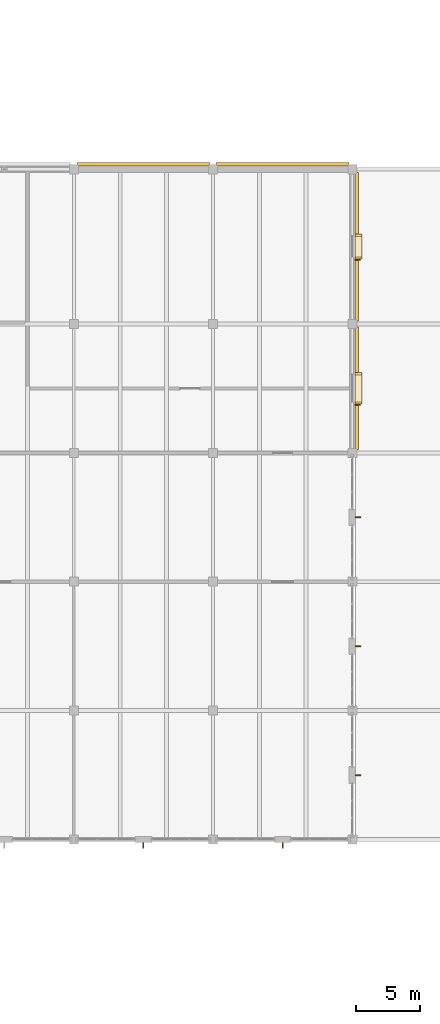
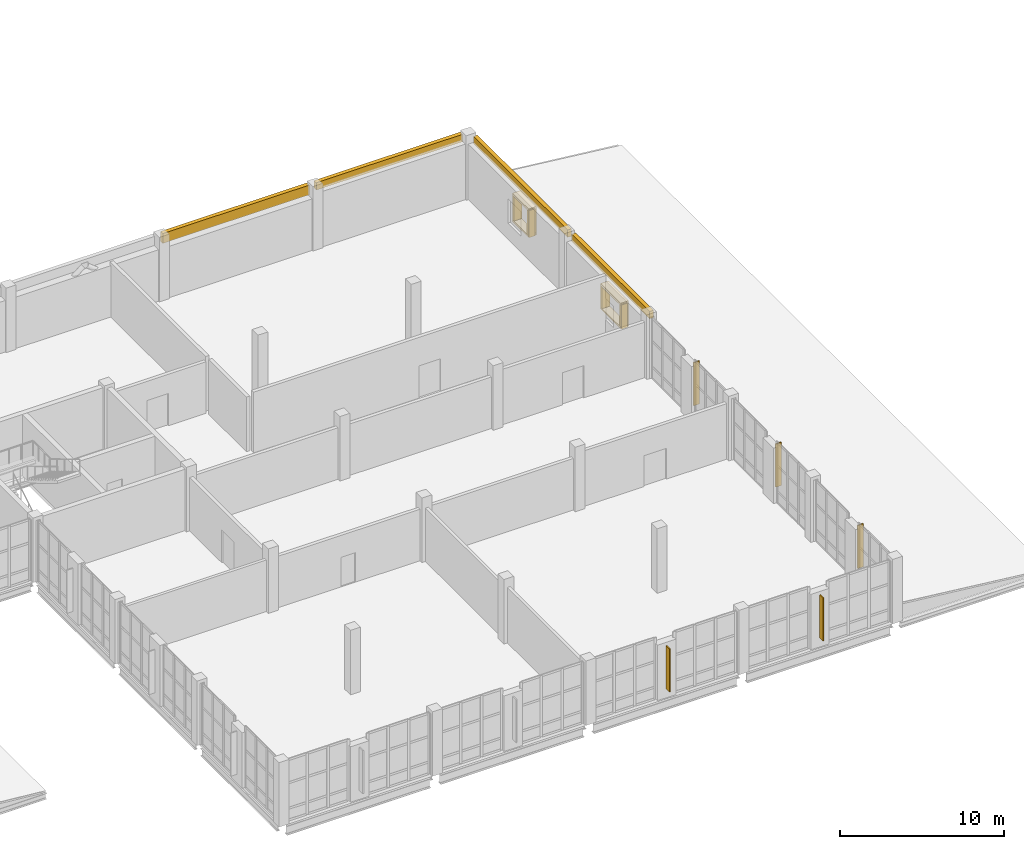
# One storey, part 92 of 92: 12 coverings, 7 shading devices.
"""IFC4 building model written with IfcOpenShell, lengths in metres."""

import ifcopenshell
import ifcopenshell.guid

model = None  # the IFC model being written
_history = None  # IfcOwnerHistory: only IFC2X3 demands one
_inside = {}  # id of a spatial element -> (the spatial element, [elements in it])
_under = {}  # id of a project, library or spatial element -> (it, [spatial elements below it])
_declared = {}  # id of a project -> (the project, [libraries it declares])
_typed = {}  # id of a type object -> (the type object, [elements of that type])
_made_of = {}  # id of a material, layer set ... -> (it, [elements and type objects made of it])


def new_model(schema):
    """Start an empty IFC model of exactly this schema.

    Asked for "IFC4X3", IfcOpenShell would pick the latest addendum, in which some entities
    have other attributes; the version numbers below select the first issue.
    IFC2X3 requires an IfcOwnerHistory on every rooted entity: one is made here for all.
    """
    global model, _history
    if schema == "IFC4X3":
        model = ifcopenshell.file(schema_version=(4, 3, 0, 0))
    else:
        model = ifcopenshell.file(schema=schema)
    _inside.clear()
    _under.clear()
    _declared.clear()
    _typed.clear()
    _made_of.clear()
    _history = None
    if model.schema == "IFC2X3":
        org = make("IfcOrganization", Name="unknown")
        user = make(
            "IfcPersonAndOrganization",
            ThePerson=make("IfcPerson", FamilyName="unknown"),
            TheOrganization=org,
        )
        app = make(
            "IfcApplication",
            ApplicationDeveloper=org,
            Version="unknown",
            ApplicationFullName="unknown",
            ApplicationIdentifier="unknown",
        )
        _history = make(
            "IfcOwnerHistory",
            OwningUser=user,
            OwningApplication=app,
            ChangeAction="ADDED",
            CreationDate=0,
        )
    return model


def make(cls, **values):
    """One entity of the class cls with the attributes given. An attribute that is None is left unset."""
    return model.create_entity(
        cls, **{name: value for name, value in values.items() if value is not None}
    )


def rooted(cls, **values):
    """An entity with a GlobalId (a new one), such as an element, a storey or a relation."""
    return make(cls, GlobalId=ifcopenshell.guid.new(), OwnerHistory=_history, **values)


def si_unit(unit_type, name, prefix=None):
    """IfcSIUnit, for example si_unit("LENGTHUNIT", "METRE", prefix="MILLI")."""
    return make("IfcSIUnit", UnitType=unit_type, Prefix=prefix, Name=name)


def assignment(units):
    """IfcUnitAssignment: the units of a project."""
    return None if units is None else make("IfcUnitAssignment", Units=units)


def point(xyz):
    """IfcCartesianPoint."""
    return None if xyz is None else make("IfcCartesianPoint", Coordinates=xyz)


def direction(xyz):
    """IfcDirection."""
    return None if xyz is None else make("IfcDirection", DirectionRatios=xyz)


def frame(location, z_axis=None, x_axis=None):
    """IfcAxis2Placement3D, a coordinate frame: its origin and axes. An axis left out is left unset."""
    return make(
        "IfcAxis2Placement3D",
        Location=point(location),
        Axis=direction(z_axis),
        RefDirection=direction(x_axis),
    )


def frame_2d(location, x_axis=None):
    """IfcAxis2Placement2D, a coordinate frame in the plane: its origin and x axis."""
    return make(
        "IfcAxis2Placement2D", Location=point(location), RefDirection=direction(x_axis)
    )


def origin():
    """The frame at (0, 0, 0) with its axes left unset."""
    return frame((0.0, 0.0, 0.0))


def origin_2d():
    """The frame at (0, 0) in the plane with its x axis left unset."""
    return frame_2d((0.0, 0.0))


def place(relative_to, where):
    """IfcLocalPlacement: puts the frame where relative to a parent placement (None: the world)."""
    return make(
        "IfcLocalPlacement", PlacementRelTo=relative_to, RelativePlacement=where
    )


def context(
    kind, dimensions, precision=None, world=None, true_north=None, identifier=None
):
    """IfcGeometricRepresentationContext, for example the 3D "Model" context."""
    return make(
        "IfcGeometricRepresentationContext",
        ContextIdentifier=identifier,
        ContextType=kind,
        CoordinateSpaceDimension=dimensions,
        Precision=precision,
        WorldCoordinateSystem=world,
        TrueNorth=true_north,
    )


def subcontext(parent, identifier, kind, view, scale=None):
    """IfcGeometricRepresentationSubContext, for example "Body" below "Model"."""
    return make(
        "IfcGeometricRepresentationSubContext",
        ContextIdentifier=identifier,
        ContextType=kind,
        ParentContext=parent,
        TargetScale=scale,
        TargetView=view,
    )


def project(units=None, contexts=None):
    """IfcProject with its units and contexts."""
    return rooted(
        "IfcProject",
        Name="project",
        RepresentationContexts=contexts,
        UnitsInContext=assignment(units),
    )


def spatial(cls, under=None, at=None, **own):
    """A site, building, storey or space (cls), placed at a placement, below another one or the project."""
    s = rooted(cls, ObjectPlacement=at, **own)
    if under is not None:
        _under.setdefault(under.id(), (under, []))[1].append(s)
    return s


def profile(cls, at=None, kind="AREA", **sizes):
    """A parametric profile (cls). Its sizes go by their IFC names, for example OverallWidth=200.0."""
    return make(cls, ProfileType=kind, Position=at, **sizes)


def rectangle(**sizes):
    """IfcRectangleProfileDef."""
    return profile("IfcRectangleProfileDef", **sizes)


def extrude(swept, where, along, depth):
    """IfcExtrudedAreaSolid: the profile swept, set in the frame where, extruded along a direction by depth."""
    return make(
        "IfcExtrudedAreaSolid",
        SweptArea=swept,
        Position=where,
        ExtrudedDirection=direction(along),
        Depth=depth,
    )


def shape(context_of_items, identifier, shape_type, items):
    """IfcShapeRepresentation: the items that make up one representation, for example the "Body"."""
    return make(
        "IfcShapeRepresentation",
        ContextOfItems=context_of_items,
        RepresentationIdentifier=identifier,
        RepresentationType=shape_type,
        Items=items,
    )


def material(Name=None, Category=None):
    """IfcMaterial."""
    return make("IfcMaterial", Name=Name, Category=Category)


def layer(
    of_material, thickness, ventilated=None, Name=None, Category=None, Priority=None
):
    """IfcMaterialLayer: one layer of a wall or slab, of a material (None: an air gap)."""
    return make(
        "IfcMaterialLayer",
        Material=of_material,
        LayerThickness=thickness,
        IsVentilated=ventilated,
        Name=Name,
        Category=Category,
        Priority=Priority,
    )


def layer_set(layers, Name=None):
    """IfcMaterialLayerSet."""
    return make("IfcMaterialLayerSet", MaterialLayers=layers, LayerSetName=Name)


def made_of(thing, what):
    """Note that an element or type object is made of a material, layer set ...; save() writes the relation."""
    if what is not None:
        _made_of.setdefault(what.id(), (what, []))[1].append(thing)
    return thing


def type_object(cls, material=None, **own):
    """A type object (cls), such as IfcWallType, which elements share."""
    return made_of(rooted(cls, **own), material)


def element(
    cls,
    number,
    at=None,
    inside=None,
    cuts=None,
    type_object=None,
    material=None,
    context=None,
    identifier="Body",
    shape_type=None,
    held_by="IfcProductDefinitionShape",
    body=None,
    shapes=None,
    **own,
):
    """One element of the class cls, such as IfcWall. Its Tag is "e" and its number.

    at: its placement. inside: the storey or other place that contains it. cuts: it is an
    opening in that element (IfcRelVoidsElement). A single representation is given by context,
    identifier, shape_type and body (its items); several are given by shapes. held_by: the class
    of the entity that holds the representations. save() writes the other relations.
    """
    e = rooted(cls, Tag="e%d" % number, ObjectPlacement=at, **own)
    if body is not None:
        shapes = [shape(context, identifier, shape_type, body)]
    if shapes is not None:
        e.Representation = make(held_by, Representations=shapes)
    if inside is not None:
        _inside.setdefault(inside.id(), (inside, []))[1].append(e)
    if cuts is not None:
        rooted(
            "IfcRelVoidsElement", RelatingBuildingElement=cuts, RelatedOpeningElement=e
        )
    if type_object is not None:
        _typed.setdefault(type_object.id(), (type_object, []))[1].append(e)
    return made_of(e, material)


def aggregate(whole, parts):
    """IfcRelAggregates: a whole, such as a stair, and the parts it consists of."""
    return rooted("IfcRelAggregates", RelatingObject=whole, RelatedObjects=parts)


def save(model, path):
    """Write the relations noted so far, then the file.

    IfcRelAggregates (storeys below a building ...), IfcRelContainedInSpatialStructure (elements
    in a storey), IfcRelDefinesByType, IfcRelAssociatesMaterial and IfcRelDeclares: one each for
    every whole, place, type object, material and project.
    """
    for whole, parts in _under.values():
        aggregate(whole, parts)
    for where, things in _inside.values():
        rooted(
            "IfcRelContainedInSpatialStructure",
            RelatedElements=things,
            RelatingStructure=where,
        )
    for kind, things in _typed.values():
        rooted("IfcRelDefinesByType", RelatedObjects=things, RelatingType=kind)
    for what, things in _made_of.values():
        rooted("IfcRelAssociatesMaterial", RelatedObjects=things, RelatingMaterial=what)
    for by, libraries in _declared.values():
        rooted("IfcRelDeclares", RelatingContext=by, RelatedDefinitions=libraries)
    model.write(path)


model = new_model("IFC4")

# Units and contexts
model_context = context("Model", 3, precision=1e-05, world=origin(), true_north=direction((0.0, 1.0)))
body_context = subcontext(model_context, "Body", "Model", "MODEL_VIEW")
ifc_project = project(units=[si_unit("LENGTHUNIT", "METRE"), si_unit("AREAUNIT", "SQUARE_METRE"), si_unit("VOLUMEUNIT", "CUBIC_METRE"), si_unit("PLANEANGLEUNIT", "RADIAN"), si_unit("MASSUNIT", "GRAM", prefix="KILO")], contexts=[model_context])

# Site, building, storey
site_placement = place(None, origin())
site = spatial("IfcSite", under=ifc_project, at=site_placement, CompositionType="ELEMENT")
building_placement = place(site_placement, origin())
building = spatial("IfcBuilding", under=site, at=building_placement, Name="Tasgan Crest Museum", CompositionType="ELEMENT")
storey_placement = place(building_placement, frame((0.0, 0.0, 4.800048828125)))
storey = spatial("IfcBuildingStorey", under=building, at=storey_placement, Name="L01", CompositionType="ELEMENT", Elevation=4.800048828125)

# Coverings
ifc_material_1 = material(Name="Honed Rose-Red Mongolian Granite", Category="masonry")
ifc_layer_1 = layer(ifc_material_1, 0.0400390625, Name="COV-GRANITE-ROSE")
ifc_layer_set_1 = layer_set([ifc_layer_1], Name="Honed Rose-Red Mongolian Granite")
covering_type_1 = type_object("IfcCoveringType", Name="COV-GRANITE-ROSE", PredefinedType="CLADDING", material=ifc_layer_set_1)
for number, where, z_axis, x_axis, name in (
    (1, (151.68505859375, 43.860107421875, 1.199951171875), (0.0, 0.0, 1.0), (0.0, 1.0, 0.0), "Deep window reveal jamb L01-023"),
    (2, (151.68505859375, 46.139892578125, 1.199951171875), (0.0, 0.0, 1.0), (0.0, 1.0, 0.0), "Deep window reveal jamb L01-023"),
):
    element("IfcCovering", number, at=place(storey_placement, frame(where, z_axis=z_axis, x_axis=x_axis)), inside=storey, type_object=covering_type_1, Name=name, PredefinedType="CLADDING", context=body_context, shape_type="SweptSolid", body=[
        extrude(rectangle(XDim=0.179931640625, YDim=0.550048828125, at=origin_2d()), origin(), (0.0, 0.0, 1.0), 1.60009765625),
    ])
for number, where, z_axis, x_axis, name in (
    (3, (151.68505859375, 55.110107421875, 1.19970703125), (0.0, 0.0, 1.0), (0.0, 1.0, 0.0), "Deep window reveal jamb L01-024"),
    (4, (151.68505859375, 56.889892578125, 1.19970703125), (0.0, 0.0, 1.0), (0.0, 1.0, 0.0), "Deep window reveal jamb L01-024"),
):
    element("IfcCovering", number, at=place(storey_placement, frame(where, z_axis=z_axis, x_axis=x_axis)), inside=storey, type_object=covering_type_1, Name=name, PredefinedType="CLADDING", context=body_context, shape_type="SweptSolid", body=[
        extrude(rectangle(XDim=0.179931640625, YDim=0.550048828125, at=origin_2d()), origin(), (0.0, 0.0, 1.0), 1.800048828125),
    ])
ifc_material_2 = material(Name="Honed Buff Limestone", Category="masonry")
ifc_layer_2 = layer(ifc_material_2, 0.044921875, Name="COV-LIMESTONE-BUFF")
ifc_layer_set_2 = layer_set([ifc_layer_2], Name="Honed Buff Limestone")
covering_type_2 = type_object("IfcCoveringType", Name="COV-LIMESTONE-BUFF", PredefinedType="CLADDING", material=ifc_layer_set_2)
covering_1_placement = place(storey_placement, frame((151.550048828125, 45.0, 3.9599609375), z_axis=(0.0, 0.0, 1.0), x_axis=(0.0, 1.0, 0.0)))
element("IfcCovering", 5, at=covering_1_placement, inside=storey, type_object=covering_type_2, Name="Stone frieze cladding L01", PredefinedType="CLADDING", context=body_context, shape_type="SweptSolid", body=[
    extrude(rectangle(XDim=9.510009765625, YDim=0.280029296875, at=origin_2d()), origin(), (0.0, 0.0, 1.0), 0.550048828125),
])
covering_2_placement = place(storey_placement, frame((151.68505859375, 45.0, 2.7998046875), z_axis=(0.0, 0.0, 1.0), x_axis=(0.0, 1.0, 0.0)))
element("IfcCovering", 6, at=covering_2_placement, inside=storey, type_object=covering_type_2, Name="Deep window hood L01-023", PredefinedType="CLADDING", context=body_context, shape_type="SweptSolid", body=[
    extrude(rectangle(XDim=2.4599609375, YDim=0.550048828125, at=origin_2d()), origin(), (0.0, 0.0, 1.0), 0.179931640625),
])
covering_3_placement = place(storey_placement, frame((151.68505859375, 45.0, 1.06005859375), z_axis=(0.0, 0.0, 1.0), x_axis=(0.0, 1.0, 0.0)))
element("IfcCovering", 7, at=covering_3_placement, inside=storey, type_object=covering_type_2, Name="Deep window sill L01-023", PredefinedType="CLADDING", context=body_context, shape_type="SweptSolid", body=[
    extrude(rectangle(XDim=2.4599609375, YDim=0.550048828125, at=origin_2d()), origin(), (0.0, 0.0, 1.0), 0.139892578125),
])
covering_4_placement = place(storey_placement, frame((151.550048828125, 56.0, 3.9599609375), z_axis=(0.0, 0.0, 1.0), x_axis=(0.0, 1.0, 0.0)))
element("IfcCovering", 8, at=covering_4_placement, inside=storey, type_object=covering_type_2, Name="Stone frieze cladding L01", PredefinedType="CLADDING", context=body_context, shape_type="SweptSolid", body=[
    extrude(rectangle(XDim=11.510009765625, YDim=0.280029296875, at=origin_2d()), origin(), (0.0, 0.0, 1.0), 0.550048828125),
])
covering_5_placement = place(storey_placement, frame((151.68505859375, 56.0, 3.0), z_axis=(0.0, 0.0, 1.0), x_axis=(0.0, 1.0, 0.0)))
element("IfcCovering", 9, at=covering_5_placement, inside=storey, type_object=covering_type_2, Name="Deep window hood L01-024", PredefinedType="CLADDING", context=body_context, shape_type="SweptSolid", body=[
    extrude(rectangle(XDim=1.9599609375, YDim=0.550048828125, at=origin_2d()), origin(), (0.0, 0.0, 1.0), 0.179931640625),
])
covering_6_placement = place(storey_placement, frame((151.68505859375, 56.0, 1.06005859375), z_axis=(0.0, 0.0, 1.0), x_axis=(0.0, 1.0, 0.0)))
element("IfcCovering", 10, at=covering_6_placement, inside=storey, type_object=covering_type_2, Name="Deep window sill L01-024", PredefinedType="CLADDING", context=body_context, shape_type="SweptSolid", body=[
    extrude(rectangle(XDim=1.9599609375, YDim=0.550048828125, at=origin_2d()), origin(), (0.0, 0.0, 1.0), 0.139892578125),
])
covering_7_placement = place(storey_placement, frame((145.800048828125, 62.39990234375, 3.9599609375), z_axis=(0.0, 0.0, 1.0), x_axis=(-1.0, 0.0, 0.0)))
element("IfcCovering", 11, at=covering_7_placement, inside=storey, type_object=covering_type_2, Name="Stone frieze cladding L01", PredefinedType="CLADDING", context=body_context, shape_type="SweptSolid", body=[
    extrude(rectangle(XDim=10.31005859375, YDim=0.280029296875, at=origin_2d()), origin(), (0.0, 0.0, 1.0), 0.550048828125),
])
covering_8_placement = place(storey_placement, frame((135.0, 62.39990234375, 3.780029296875), z_axis=(0.0, 0.0, 1.0), x_axis=(-1.0, 0.0, 0.0)))
element("IfcCovering", 12, at=covering_8_placement, inside=storey, type_object=covering_type_2, Name="Stone frieze cladding L01", PredefinedType="CLADDING", context=body_context, shape_type="SweptSolid", body=[
    extrude(rectangle(XDim=10.31005859375, YDim=0.280029296875, at=origin_2d()), origin(), (0.0, 0.0, 1.0), 0.72998046875),
])

# Shading devices
ifc_material_3 = material(Name="Anodised Bronze Aluminium", Category="aluminium")
shading_device_type = type_object("IfcShadingDeviceType", Name="SH-FIN-V400", PredefinedType="JALOUSIE", material=ifc_material_3)
for number, where, z_axis, x_axis, name in (
    (13, (135.0, 9.550048828125, 0.68017578125), (0.0, 0.0, 1.0), (1.0, 0.0, 0.0), "Facade pier solar fin L01"),
    (14, (145.800048828125, 9.550048828125, 0.68017578125), (0.0, 0.0, 1.0), (1.0, 0.0, 0.0), "Facade pier solar fin L01"),
    (15, (151.64990234375, 15.0, 0.68017578125), (0.0, 0.0, 1.0), (0.0, 1.0, 0.0), "Facade pier solar fin L01"),
    (16, (151.64990234375, 25.0, 0.68017578125), (0.0, 0.0, 1.0), (0.0, 1.0, 0.0), "Facade pier solar fin L01"),
    (17, (151.64990234375, 35.0, 0.68017578125), (0.0, 0.0, 1.0), (0.0, 1.0, 0.0), "Facade pier solar fin L01"),
):
    element("IfcShadingDevice", number, at=place(storey_placement, frame(where, z_axis=z_axis, x_axis=x_axis)), inside=storey, type_object=shading_device_type, Name=name, PredefinedType="JALOUSIE", context=body_context, shape_type="SweptSolid", body=[
        extrude(rectangle(XDim=0.080078125, YDim=0.419921875, at=origin_2d()), origin(), (0.0, 0.0, 1.0), 3.199951171875),
    ])
shading_device_1_placement = place(storey_placement, frame((151.6201171875, 43.72998046875, 1.10009765625), z_axis=(0.0, 0.0, 1.0), x_axis=(0.0, 1.0, 0.0)))
element("IfcShadingDevice", 18, at=shading_device_1_placement, inside=storey, type_object=shading_device_type, Name="Solar shading fin L01-023", PredefinedType="JALOUSIE", context=body_context, shape_type="SweptSolid", body=[
    extrude(rectangle(XDim=0.080078125, YDim=0.419921875, at=origin_2d()), origin(), (0.0, 0.0, 1.0), 1.800048828125),
])
shading_device_2_placement = place(storey_placement, frame((151.6201171875, 54.97998046875, 1.099853515625), z_axis=(0.0, 0.0, 1.0), x_axis=(0.0, 1.0, 0.0)))
element("IfcShadingDevice", 19, at=shading_device_2_placement, inside=storey, type_object=shading_device_type, Name="Solar shading fin L01-024", PredefinedType="JALOUSIE", context=body_context, shape_type="SweptSolid", body=[
    extrude(rectangle(XDim=0.080078125, YDim=0.419921875, at=origin_2d()), origin(), (0.0, 0.0, 1.0), 2.0),
])

save(model, "model.ifc")
